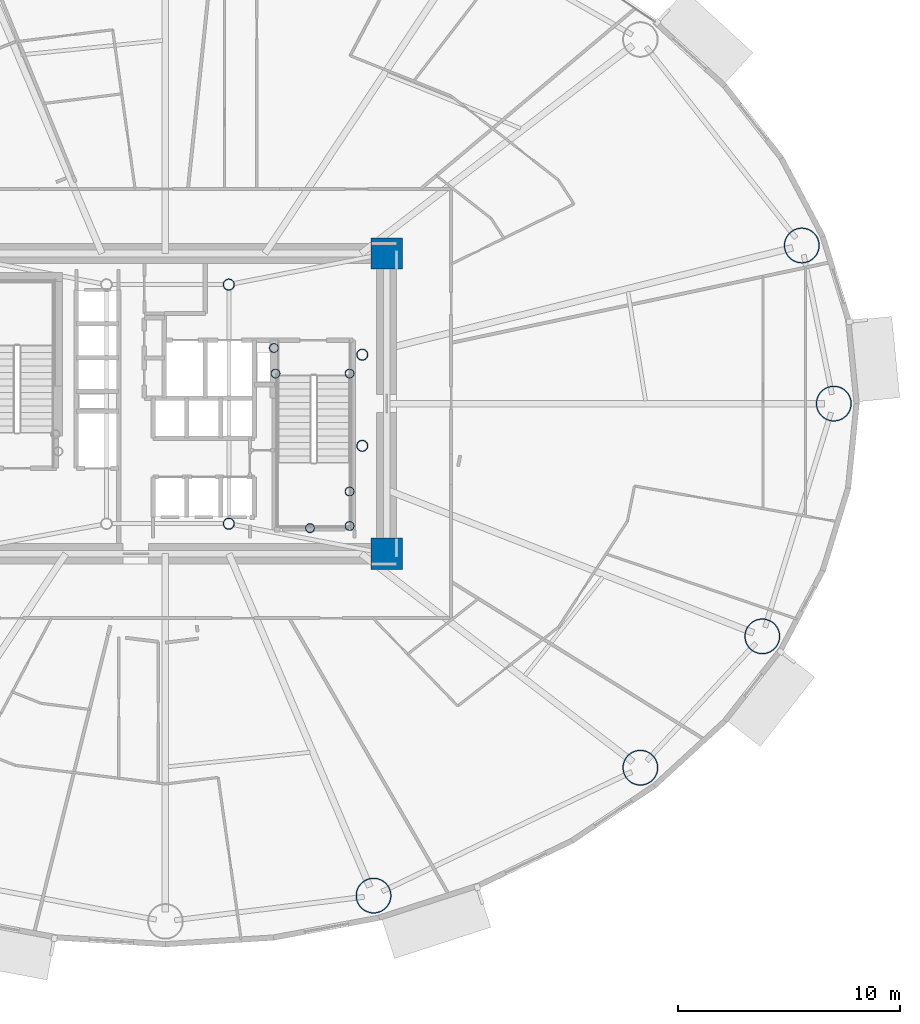
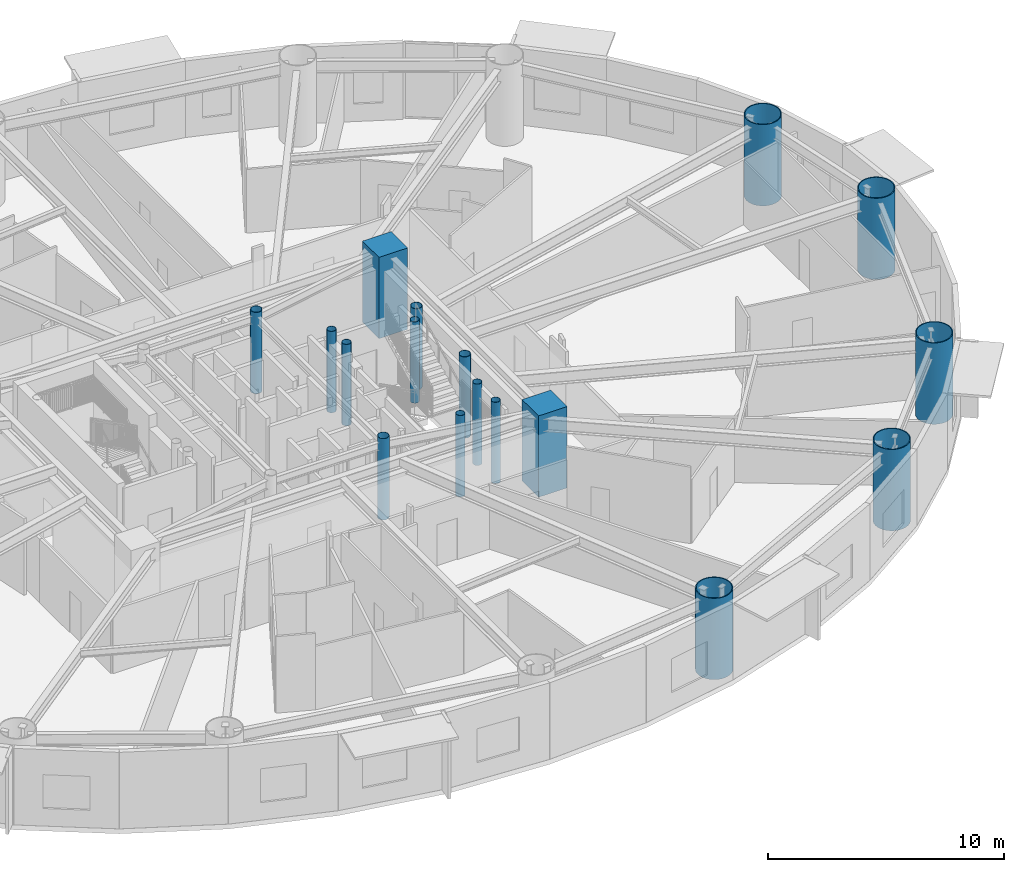
# One storey, part 2 of 20: 17 columns.
"""IFC4 building model written with IfcOpenShell, lengths in metres."""

from ifc_helpers import new_model, si_unit, direction, frame, origin, origin_2d, place, context, subcontext, project, spatial, rectangle, hollow_circle, extrude, material, material_profile, profile_set, type_object, element, save


model = new_model("IFC4")

# Units and contexts
model_context = context("Model", 3, precision=1e-05, world=origin(), true_north=direction((0.0, 1.0)))
body_context = subcontext(model_context, "Body", "Model", "MODEL_VIEW")
ifc_project = project(units=[si_unit("LENGTHUNIT", "METRE"), si_unit("AREAUNIT", "SQUARE_METRE"), si_unit("VOLUMEUNIT", "CUBIC_METRE"), si_unit("PLANEANGLEUNIT", "RADIAN"), si_unit("MASSUNIT", "GRAM", prefix="KILO")], contexts=[model_context])

# Site, building, storey
site_placement = place(None, origin())
site = spatial("IfcSite", under=ifc_project, at=site_placement, CompositionType="ELEMENT")
building_placement = place(site_placement, origin())
building = spatial("IfcBuilding", under=site, at=building_placement, Name="Linh Dai School and Residence Tower", CompositionType="ELEMENT")
storey_placement = place(building_placement, frame((0.0, 0.0, 66.0)))
storey = spatial("IfcBuildingStorey", under=building, at=storey_placement, Name="L15", CompositionType="ELEMENT", Elevation=66.0)

# Columns
ifc_material_1 = material(Name="Concrete B60 (C50/60)", Category="concrete")
ifc_material_profile_1 = material_profile(ifc_material_1, rectangle(XDim=1.39990234375, YDim=1.39990234375, at=origin_2d()), Name="RC 1400x1400")
ifc_profile_set_1 = profile_set([ifc_material_profile_1], Name="Concrete B60 (C50/60)")
column_type_1 = type_object("IfcColumnType", Name="COL-CC1", PredefinedType="COLUMN", material=ifc_profile_set_1)
for number, where, z_axis, x_axis, name in (
    (1, (45.949951171875, 20.25, 0.0), (0.0, 0.0, 1.0), (1.0, 0.0, 0.0), "L15 Core Corner Pier CC2"),
    (2, (45.949951171875, 33.75, 0.0), (0.0, 0.0, 1.0), (1.0, 0.0, 0.0), "L15 Core Corner Pier CC3"),
):
    element("IfcColumn", number, at=place(storey_placement, frame(where, z_axis=z_axis, x_axis=x_axis)), inside=storey, type_object=column_type_1, Name=name, PredefinedType="COLUMN", context=body_context, shape_type="SweptSolid", body=[
        extrude(rectangle(XDim=1.39990234375, YDim=1.39990234375, at=origin_2d()), origin(), (0.0, 0.0, 1.0), 4.199951171875),
    ])
ifc_material_2 = material(Name="Structural Steel S355JR", Category="steel")
ifc_material_profile_2 = material_profile(ifc_material_2, hollow_circle(Radius=0.203125, WallThickness=0.01611328125, at=origin_2d()), Name="CHS 406.4x16")
ifc_profile_set_2 = profile_set([ifc_material_profile_2], Name="Structural Steel S355JR")
column_type_2 = type_object("IfcColumnType", Name="COL-EC", PredefinedType="COLUMN", material=ifc_profile_set_2)
for number, where, z_axis, x_axis, name in (
    (3, (44.280029296875, 21.5, 0.0), (0.0, 0.0, 1.0), (1.0, 0.0, 0.0), "L15 Stair Shaft Landing Support Pier ST2SE"),
    (4, (44.280029296875, 23.050048828125, 0.0), (0.0, 0.0, 1.0), (1.0, 0.0, 0.0), "L15 Stair Shaft Landing Support Pier ST2NE"),
    (5, (42.5, 21.39990234375, 0.0), (0.0, 0.0, 1.0), (1.0, 0.0, 0.0), "L15 Stair Shaft Landing Support Pier ST2MS"),
    (6, (40.949951171875, 28.35009765625, 0.0), (0.0, 0.0, 1.0), (1.0, 0.0, 0.0), "L15 Stair Shaft Landing Support Pier ST2N1"),
    (7, (44.280029296875, 28.35009765625, 0.0), (0.0, 0.0, 1.0), (1.0, 0.0, 0.0), "L15 Stair Shaft Landing Support Pier ST2N2"),
    (8, (40.8798828125, 29.5, 0.0), (0.0, 0.0, 1.0), (1.0, 0.0, 0.0), "L15 Stair Shaft Landing Support Pier ST2N3"),
):
    element("IfcColumn", number, at=place(storey_placement, frame(where, z_axis=z_axis, x_axis=x_axis)), inside=storey, type_object=column_type_2, Name=name, PredefinedType="COLUMN", context=body_context, shape_type="SweptSolid", body=[
        extrude(hollow_circle(Radius=0.203125, WallThickness=0.01611328125, at=origin_2d()), origin(), (0.0, 0.0, 1.0), 4.199951171875),
    ])
ifc_material_profile_3 = material_profile(ifc_material_2, hollow_circle(Radius=0.800048828125, WallThickness=0.044921875, at=origin_2d()), Name="CHS 1600x45")
ifc_profile_set_3 = profile_set([ifc_material_profile_3], Name="Structural Steel S355JR")
column_type_3 = type_object("IfcColumnType", Name="COL-MC2", PredefinedType="COLUMN", material=ifc_profile_set_3)
for number, where, z_axis, x_axis, name in (
    (9, (66.050048828125, 27.0, 0.0), (0.0, 0.0, 1.0), (1.0, 0.0, 0.0), "L15 Perimeter CFT Mega-Column MC01"),
    (10, (64.61083984375, 34.108642578125, 0.0), (0.0, 0.0, 1.0), (1.0, 0.0, 0.0), "L15 Perimeter CFT Mega-Column MC02"),
    (11, (45.357666015625, 4.880126953125, 0.0), (0.0, 0.0, 1.0), (1.0, 0.0, 0.0), "L15 Perimeter CFT Mega-Column MC14"),
    (12, (57.352783203125, 10.630859375, 0.0), (0.0, 0.0, 1.0), (1.0, 0.0, 0.0), "L15 Perimeter CFT Mega-Column MC15"),
    (13, (62.83544921875, 16.5361328125, 0.0), (0.0, 0.0, 1.0), (1.0, 0.0, 0.0), "L15 Perimeter CFT Mega-Column MC16"),
):
    element("IfcColumn", number, at=place(storey_placement, frame(where, z_axis=z_axis, x_axis=x_axis)), inside=storey, type_object=column_type_3, Name=name, PredefinedType="COLUMN", context=body_context, shape_type="SweptSolid", body=[
        extrude(hollow_circle(Radius=0.800048828125, WallThickness=0.044921875, at=origin_2d()), origin(), (0.0, 0.0, 1.0), 4.199951171875),
    ])
ifc_material_profile_4 = material_profile(ifc_material_2, hollow_circle(Radius=0.25390625, WallThickness=0.02001953125, at=origin_2d()), Name="CHS 508x20")
ifc_profile_set_4 = profile_set([ifc_material_profile_4], Name="Structural Steel S355JR")
column_type_4 = type_object("IfcColumnType", Name="COL-MCP", PredefinedType="COLUMN", material=ifc_profile_set_4)
for number, where, z_axis, x_axis, name in (
    (14, (38.85009765625, 21.60009765625, 0.0), (0.0, 0.0, 1.0), (1.0, 0.0, 0.0), "L15 Core Mast Support Pier MCP2"),
    (15, (38.85009765625, 32.35009765625, 0.0), (0.0, 0.0, 1.0), (1.0, 0.0, 0.0), "L15 Core Mast Support Pier MCP3"),
    (16, (44.85009765625, 25.10009765625, 0.0), (0.0, 0.0, 1.0), (1.0, 0.0, 0.0), "L15 Sky-Lounge Core Anchor Pier S"),
    (17, (44.85009765625, 29.199951171875, 0.0), (0.0, 0.0, 1.0), (1.0, 0.0, 0.0), "L15 Sky-Lounge Core Anchor Pier N"),
):
    element("IfcColumn", number, at=place(storey_placement, frame(where, z_axis=z_axis, x_axis=x_axis)), inside=storey, type_object=column_type_4, Name=name, PredefinedType="COLUMN", context=body_context, shape_type="SweptSolid", body=[
        extrude(hollow_circle(Radius=0.25390625, WallThickness=0.02001953125, at=origin_2d()), origin(), (0.0, 0.0, 1.0), 4.199951171875),
    ])

save(model, "model.ifc")
